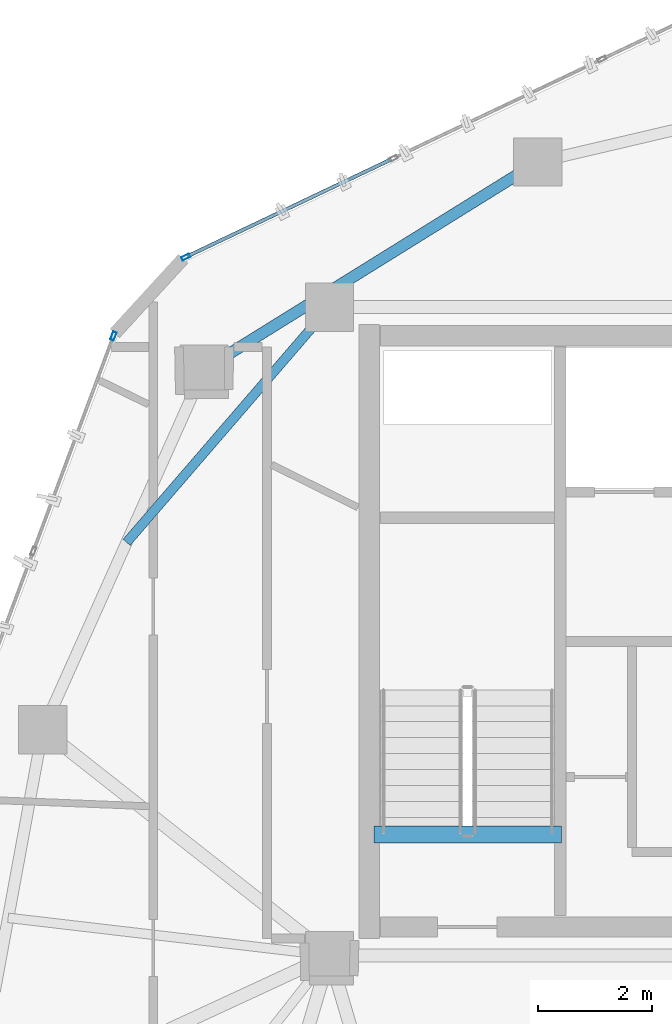
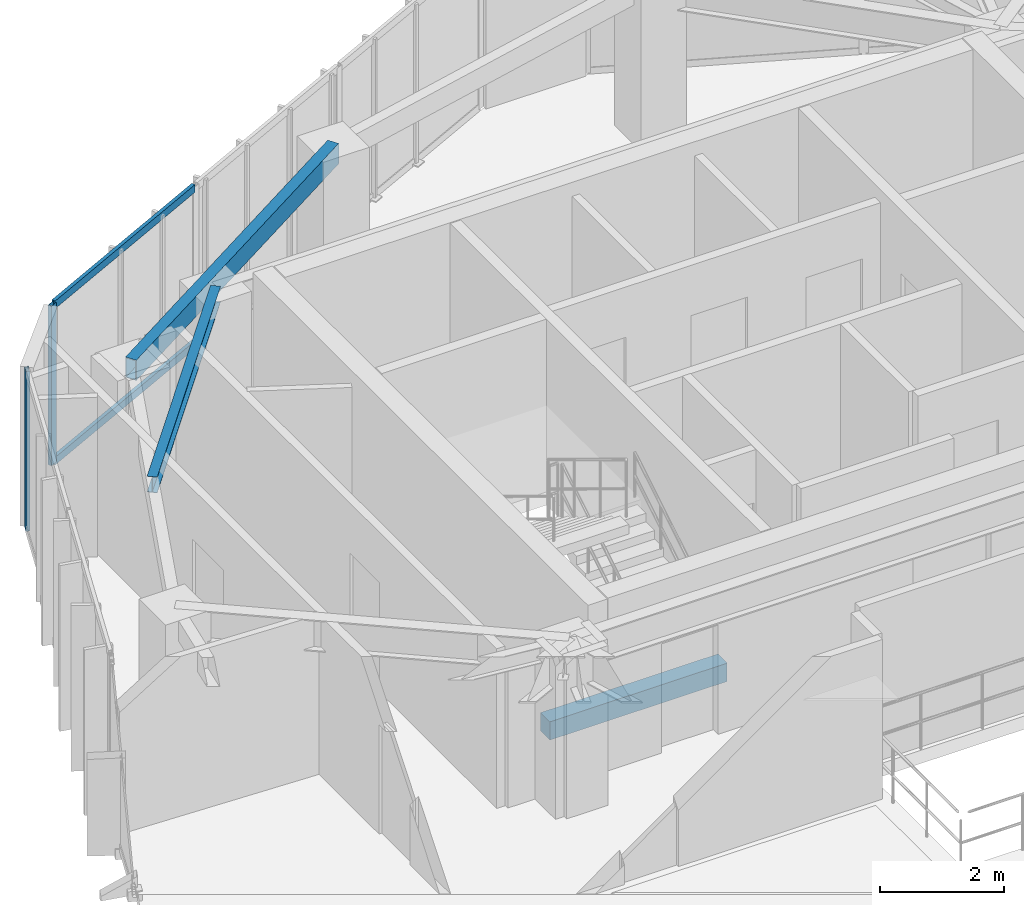
# One storey, part 9 of 20: 4 members, 3 beams, 2 elements without a shape of their own.
"""IFC4 building model written with IfcOpenShell, lengths in metres."""

from ifc_helpers import new_model, si_unit, direction, frame, origin, origin_2d, place, context, subcontext, project, spatial, rectangle, hollow_rectangle, i_section, extrude, source, transform, mapped, material, layer, layer_set, material_profile, profile_set, type_object, type_shapes, element, aggregate, save


model = new_model("IFC4")

# Units and contexts
model_context = context("Model", 3, precision=1e-05, world=origin(), true_north=direction((0.0, 1.0)))
body_context = subcontext(model_context, "Body", "Model", "MODEL_VIEW")
ifc_project = project(units=[si_unit("LENGTHUNIT", "METRE"), si_unit("AREAUNIT", "SQUARE_METRE"), si_unit("VOLUMEUNIT", "CUBIC_METRE"), si_unit("PLANEANGLEUNIT", "RADIAN"), si_unit("MASSUNIT", "GRAM", prefix="KILO")], contexts=[model_context])

# Site, building, storey
site_placement = place(None, origin())
site = spatial("IfcSite", under=ifc_project, at=site_placement, CompositionType="ELEMENT")
building_placement = place(site_placement, origin())
building = spatial("IfcBuilding", under=site, at=building_placement, Name="Talar Marvaseh", CompositionType="ELEMENT")
storey_placement = place(building_placement, frame((0.0, 0.0, 268.0)))
storey = spatial("IfcBuildingStorey", under=building, at=storey_placement, Name="L71", CompositionType="ELEMENT", Elevation=268.0)

# Beams
ifc_material_1 = material(Name="Concrete C40/50", Category="concrete")
ifc_material_profile_1 = material_profile(ifc_material_1, rectangle(XDim=0.300048828125, YDim=0.360107421875, at=origin_2d()), Name="RC300x360")
ifc_profile_set_1 = profile_set([ifc_material_profile_1], Name="Concrete C40/50")
beam_type_1 = type_object("IfcBeamType", Name="Concrete Stair Landing Trimmer Beam RC300x360", PredefinedType="SPANDREL", material=ifc_profile_set_1)
beam_1_placement = place(storey_placement, frame((22.780029296875, 27.6298828125, -0.179931640625), z_axis=(-1.0, 0.0, 0.0), x_axis=(0.0, -1.0, 0.0)))
element("IfcBeam", 1, at=beam_1_placement, inside=storey, type_object=beam_type_1, Name="L71 ST-1 Stair Nosing Trimmer Beam", PredefinedType="SPANDREL", context=body_context, shape_type="SweptSolid", body=[
    extrude(rectangle(XDim=0.300048828125, YDim=0.360107421875, at=origin_2d()), origin(), (0.0, 0.0, 1.0), 3.300048828125),
])
ifc_material_2 = material(Name="Steel S355", Category="steel")
ifc_material_profile_2 = material_profile(ifc_material_2, hollow_rectangle(XDim=0.199951171875, YDim=0.39990234375, WallThickness=0.013916015625, at=origin_2d()), Name="RHS400x200x14")
ifc_profile_set_2 = profile_set([ifc_material_profile_2], Name="Steel S355")
beam_type_2 = type_object("IfcBeamType", Name="Zone 3 Perimeter Spandrel Beam RHS400x200x14", PredefinedType="SPANDREL", material=ifc_profile_set_2)
beam_2_placement = place(storey_placement, frame((16.493896484375, 35.806884765625, 2.93994140625), z_axis=(0.849439811678, 0.527685518407, 0.0), x_axis=(-0.527685518407, 0.849439811678, 0.0)))
element("IfcBeam", 2, at=beam_2_placement, inside=storey, type_object=beam_type_2, Name="L71 Zone 3 Perimeter Spandrel Beam RHS400x200x14", PredefinedType="SPANDREL", context=body_context, shape_type="SweptSolid", body=[
    extrude(hollow_rectangle(XDim=0.199951171875, YDim=0.39990234375, WallThickness=0.013916015625, at=origin_2d()), origin(), (0.0, 0.0, 1.0), 6.91162109375),
])
ifc_material_profile_3 = material_profile(ifc_material_2, i_section(OverallWidth=0.166015625, OverallDepth=0.31298828125, WebThickness=0.006591796875, FlangeThickness=0.01123046875, at=origin_2d()), Name="W310x45")
ifc_profile_set_3 = profile_set([ifc_material_profile_3], Name="Steel S355")
beam_type_3 = type_object("IfcBeamType", Name="Zone 3 Secondary Floor Joist W310x45", PredefinedType="JOIST", material=ifc_profile_set_3)
beam_3_placement = place(storey_placement, frame((15.1328125, 32.76513671875, 2.9833984375), z_axis=(0.653221697747, 0.757166701323, 0.0), x_axis=(-0.757166701323, 0.653221697747, 0.0)))
element("IfcBeam", 3, at=beam_3_placement, inside=storey, type_object=beam_type_3, Name="L71 Zone 3 Secondary Floor Joist W310x45", PredefinedType="JOIST", context=body_context, shape_type="SweptSolid", body=[
    extrude(i_section(OverallWidth=0.166015625, OverallDepth=0.31298828125, WebThickness=0.006591796875, FlangeThickness=0.01123046875, at=origin_2d()), origin(), (0.0, 0.0, 1.0), 5.4609375),
])

# Curtain wall, member
ifc_material_3 = material(Name="Architectural Aluminium", Category="aluminium")
ifc_layer = layer(ifc_material_3, 0.179931640625)
ifc_layer_set = layer_set([ifc_layer], Name="Architectural Aluminium")
curtain_wall_type = type_object("IfcCurtainWallType", Name="Unitised High-Wind Sky Curtain Wall Z4", PredefinedType="NOTDEFINED", material=ifc_layer_set)
curtain_wall_1_placement = place(storey_placement, origin())
curtain_wall_1 = element("IfcCurtainWall", 4, at=curtain_wall_1_placement, inside=storey, type_object=curtain_wall_type, Name="L71 Unitised High-Wind Sky Curtain Wall Z4", PredefinedType="NOTDEFINED")
ifc_material_profile_4 = material_profile(ifc_material_3, hollow_rectangle(XDim=0.06494140625, YDim=0.14990234375, WallThickness=0.00390625, at=origin_2d()), Name="RHS150x65x4")
ifc_profile_set_4 = profile_set([ifc_material_profile_4], Name="Architectural Aluminium")
member_type_1 = type_object("IfcMemberType", Name="Unitised Curtain Wall Slim Mullion RHS150x65x4", PredefinedType="MULLION", material=ifc_profile_set_4)
shared_shape_1 = source(origin(), body_context, "Body", "SweptSolid", [
    extrude(hollow_rectangle(XDim=0.06494140625, YDim=0.14990234375, WallThickness=0.00390625, at=origin_2d()), origin(), (0.0, 0.0, 1.0), 3.139892578125),
])
type_shapes(member_type_1, [shared_shape_1])
member_1_placement = place(storey_placement, frame((14.90087890625, 36.391357421875, 0.0), z_axis=(0.0, 0.0, 1.0), x_axis=(-0.937087895549, 0.34909350612, 0.0)))
member_1 = element("IfcMember", 5, at=member_1_placement, type_object=member_type_1, Name="CW-Z4 mullion 4", PredefinedType="MULLION", context=body_context, shape_type="MappedRepresentation", body=[
    mapped(shared_shape_1, transform((0.0, 0.0, 0.0), x_axis=(1.0, 0.0, 0.0), y_axis=(0.0, 1.0, 0.0), z_axis=(0.0, 0.0, 1.0), scale=1.0)),
])
aggregate(curtain_wall_1, [member_1])

# Curtain wall, members
curtain_wall_2_placement = place(storey_placement, origin())
curtain_wall_2 = element("IfcCurtainWall", 6, at=curtain_wall_2_placement, inside=storey, type_object=curtain_wall_type, Name="L71 Unitised High-Wind Sky Curtain Wall Z4", PredefinedType="NOTDEFINED")
member_2_placement = place(storey_placement, frame((16.175048828125, 37.781982421875, 0.0), z_axis=(0.0, 0.0, 1.0), x_axis=(-0.42943963378, 0.903095565784, 0.0)))
member_2 = element("IfcMember", 7, at=member_2_placement, type_object=member_type_1, Name="CW-Z4 mullion 1", PredefinedType="MULLION", context=body_context, shape_type="MappedRepresentation", body=[
    mapped(shared_shape_1, transform((0.0, 0.0, 0.0), x_axis=(1.0, 0.0, 0.0), y_axis=(0.0, 1.0, 0.0), z_axis=(0.0, 0.0, 1.0), scale=1.0)),
])
ifc_material_profile_5 = material_profile(ifc_material_3, hollow_rectangle(XDim=0.06494140625, YDim=0.14990234375, WallThickness=0.00390625, at=origin_2d()), Name="RHS150x65x4")
ifc_profile_set_5 = profile_set([ifc_material_profile_5], Name="Architectural Aluminium")
member_type_2 = type_object("IfcMemberType", Name="Unitised Curtain Wall Slim Transom RHS150x65x4", PredefinedType="USERDEFINED", material=ifc_profile_set_5)
shared_shape_2 = source(origin(), body_context, "Body", "SweptSolid", [
    extrude(hollow_rectangle(XDim=0.06494140625, YDim=0.14990234375, WallThickness=0.00390625, at=origin_2d()), origin(), (0.0, 0.0, 1.0), 3.970947265625),
])
type_shapes(member_type_2, [shared_shape_2])
member_3_placement = place(storey_placement, frame((16.204345703125, 37.7958984375, 0.032470703125), z_axis=(0.90309335467, 0.429444283639, 0.0), x_axis=(-0.429444283639, 0.90309335467, 0.0)))
member_3 = element("IfcMember", 8, at=member_3_placement, type_object=member_type_2, Name="CW-Z4 transom 1.1", ObjectType="TRANSOM", PredefinedType="USERDEFINED", context=body_context, shape_type="MappedRepresentation", body=[
    mapped(shared_shape_2, transform((0.0, 0.0, 0.0), x_axis=(1.0, 0.0, 0.0), y_axis=(0.0, 1.0, 0.0), z_axis=(0.0, 0.0, 1.0), scale=1.0)),
])
member_4_placement = place(storey_placement, frame((16.204345703125, 37.7958984375, 3.107421875), z_axis=(0.90309335467, 0.429444283639, 0.0), x_axis=(-0.429444283639, 0.90309335467, 0.0)))
member_4 = element("IfcMember", 9, at=member_4_placement, type_object=member_type_2, Name="CW-Z4 transom 1.2", ObjectType="TRANSOM", PredefinedType="USERDEFINED", context=body_context, shape_type="MappedRepresentation", body=[
    mapped(shared_shape_2, transform((0.0, 0.0, 0.0), x_axis=(1.0, 0.0, 0.0), y_axis=(0.0, 1.0, 0.0), z_axis=(0.0, 0.0, 1.0), scale=1.0)),
])
aggregate(curtain_wall_2, [member_2, member_3, member_4])

save(model, "model.ifc")
